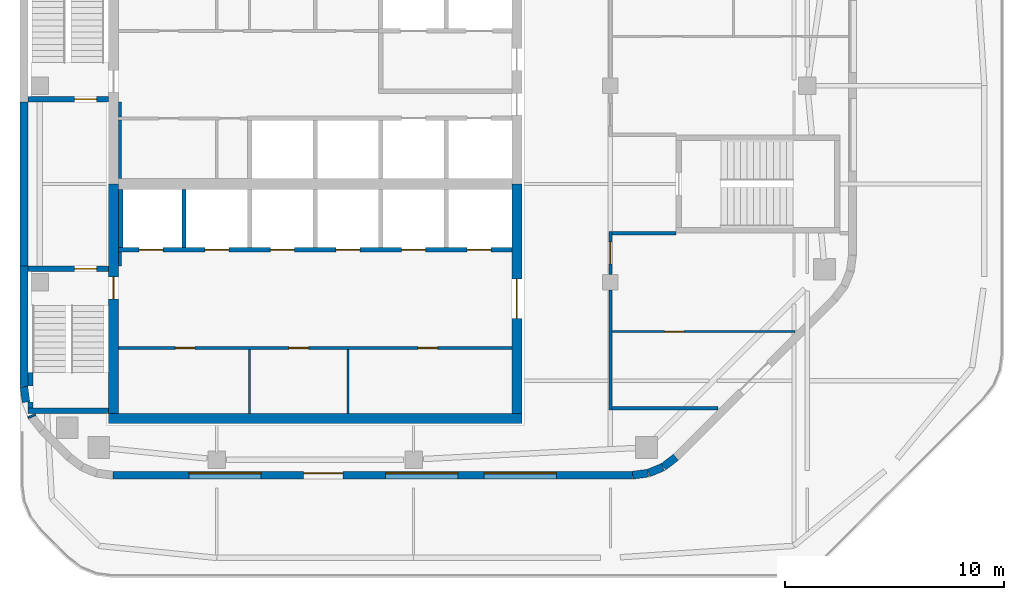
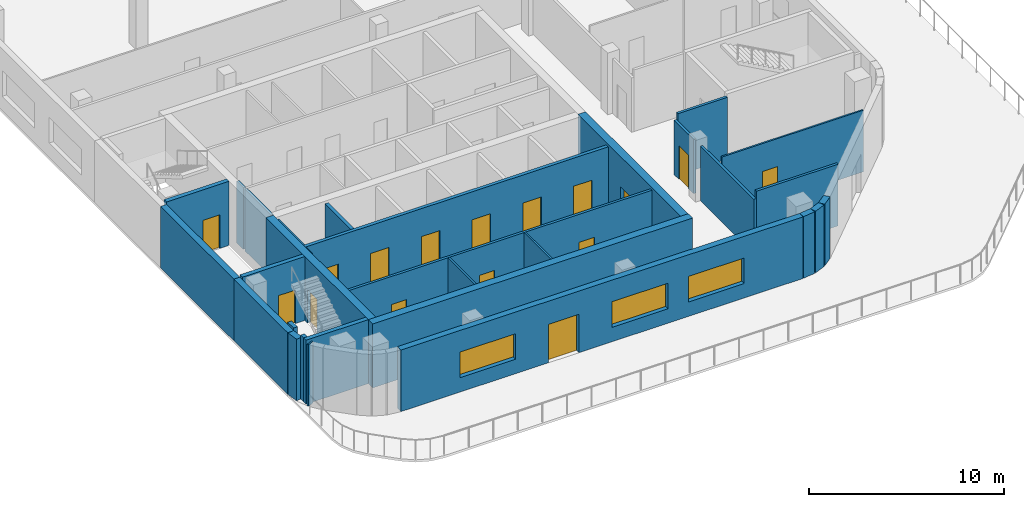
# One storey, part 3 of 7: 30 walls, 16 doors, 3 windows, 19 openings.
"""IFC4 building model written with IfcOpenShell, lengths in metres."""

from ifc_helpers import new_model, si_unit, direction, frame, frame_2d, origin, place, context, subcontext, project, spatial, rectangle, extrude, material, layer, layer_set, type_object, element, fill, save


model = new_model("IFC4")

# Units and contexts
model_context = context("Model", 3, precision=1e-05, world=origin(), true_north=direction((0.0, 1.0)))
body_context = subcontext(model_context, "Body", "Model", "MODEL_VIEW")
ifc_project = project(units=[si_unit("LENGTHUNIT", "METRE"), si_unit("AREAUNIT", "SQUARE_METRE"), si_unit("VOLUMEUNIT", "CUBIC_METRE"), si_unit("PLANEANGLEUNIT", "RADIAN"), si_unit("MASSUNIT", "GRAM", prefix="KILO")], contexts=[model_context])

# Site, building, storey
site_placement = place(None, origin())
site = spatial("IfcSite", under=ifc_project, at=site_placement, CompositionType="ELEMENT")
building_placement = place(site_placement, origin())
building = spatial("IfcBuilding", under=site, at=building_placement, Name="Cinnabar Reach Civic Tower", CompositionType="ELEMENT")
storey_placement = place(building_placement, frame((0.0, 0.0, 247.0)))
storey = spatial("IfcBuildingStorey", under=building, at=storey_placement, Name="L59", CompositionType="ELEMENT", Elevation=247.0)

# Walls
ifc_material_1 = material(Name="Facing brick with insulated backing", Category="masonry")
ifc_layer_1 = layer(ifc_material_1, 0.36)
ifc_layer_set_1 = layer_set([ifc_layer_1], Name="Brick corner wall")
wall_type_1 = type_object("IfcWallType", Name="Brick corner wall", PredefinedType="STANDARD", material=ifc_layer_set_1)
for number, where, z_axis, x_axis, name in (
    (1, (28.0186, 18.183, 0.0), (0.0, 0.0, 1.0), (0.99144092581, 0.13055608231, 0.0), "Brick corner wall"),
    (2, (28.7473, 18.2819, 0.0), (0.0, 0.0, 1.0), (0.923871547278, 0.382702709855, 0.0), "Brick corner wall"),
):
    element("IfcWall", number, at=place(storey_placement, frame(where, z_axis=z_axis, x_axis=x_axis)), inside=storey, type_object=wall_type_1, Name=name, PredefinedType="STANDARD", context=body_context, shape_type="SweptSolid", body=[
        extrude(rectangle(XDim=0.7131, YDim=0.36, at=frame_2d((0.3565, 0.0))), origin(), (0.0, 0.0, 1.0), 3.85),
    ])
wall_1_placement = place(storey_placement, frame((29.4255, 18.566, 0.0), z_axis=(0.0, 0.0, 1.0), x_axis=(0.793321924995, 0.608802368033, 0.0)))
element("IfcWall", 3, at=wall_1_placement, inside=storey, type_object=wall_type_1, Name="Brick corner wall", PredefinedType="STANDARD", context=body_context, shape_type="SweptSolid", body=[
    extrude(rectangle(XDim=0.7132, YDim=0.36, at=frame_2d((0.3566, 0.0))), origin(), (0.0, 0.0, 1.0), 3.85),
])
wall_2_placement = place(storey_placement, frame((0.183, 22.2314, 0.0), z_axis=(0.0, 0.0, 1.0), x_axis=(0.13055608231, -0.99144092581, 0.0)))
element("IfcWall", 4, at=wall_2_placement, inside=storey, type_object=wall_type_1, Name="Brick corner wall", PredefinedType="STANDARD", context=body_context, shape_type="SweptSolid", body=[
    extrude(rectangle(XDim=0.7131, YDim=0.36, at=frame_2d((0.3565, 0.0))), origin(), (0.0, 0.0, 1.0), 3.85),
])
wall_3_placement = place(storey_placement, frame((0.5206, 20.9265, 0.0), z_axis=(0.0, 0.0, 1.0), x_axis=(0.382549378284, -0.923935048136, 0.0)))
element("IfcWall", 5, at=wall_3_placement, inside=storey, type_object=wall_type_1, Name="Brick corner wall", PredefinedType="STANDARD", context=body_context, shape_type="SweptSolid", body=[
    extrude(rectangle(XDim=0.0894, YDim=0.36, at=frame_2d((0.0447, 0.0))), origin(), (0.0, 0.0, 1.0), 3.85),
])

# Wall, openings, windows, door
ifc_layer_2 = layer(ifc_material_1, 0.36)
ifc_layer_set_2 = layer_set([ifc_layer_2], Name="Brick pier and spandrel wall")
wall_type_2 = type_object("IfcWallType", Name="Brick pier and spandrel wall", PredefinedType="STANDARD", material=ifc_layer_set_2)
wall_4_placement = place(storey_placement, frame((4.2426, 18.18, 0.0), z_axis=(0.0, 0.0, 1.0), x_axis=(1.0, 0.0, 0.0)))
wall_4 = element("IfcWall", 6, at=wall_4_placement, inside=storey, type_object=wall_type_2, Name="Brick facade wall", PredefinedType="STANDARD", context=body_context, shape_type="SweptSolid", body=[
    extrude(rectangle(XDim=23.7648, YDim=0.36, at=frame_2d((11.8824, 0.0))), origin(), (0.0, 0.0, 1.0), 3.85),
])
opening_1_placement = place(wall_4_placement, frame((3.4824, 0.0, 0.9)))
opening_1 = element("IfcOpeningElement", 7, at=opening_1_placement, cuts=wall_4, Name="Opening W2180", PredefinedType="OPENING", context=body_context, shape_type="SweptSolid", body=[
    extrude(rectangle(XDim=3.3, YDim=1.6, at=frame_2d((1.65, 0.8))), frame((0.0, 0.19, 0.0), z_axis=(0.0, -1.0, 0.0), x_axis=(1.0, 0.0, 0.0)), (0.0, 0.0, 1.0), 0.38),
])
opening_2_placement = place(wall_4_placement, frame((8.7324, 0.0, 0.0)))
opening_2 = element("IfcOpeningElement", 8, at=opening_2_placement, cuts=wall_4, Name="Opening D7511", PredefinedType="OPENING", context=body_context, shape_type="SweptSolid", body=[
    extrude(rectangle(XDim=1.8, YDim=2.4, at=frame_2d((0.9, 1.2))), frame((0.0, 0.19, 0.0), z_axis=(0.0, -1.0, 0.0), x_axis=(1.0, 0.0, 0.0)), (0.0, 0.0, 1.0), 0.38),
])
opening_3_placement = place(wall_4_placement, frame((12.4824, 0.0, 0.9)))
opening_3 = element("IfcOpeningElement", 9, at=opening_3_placement, cuts=wall_4, Name="Opening W2181", PredefinedType="OPENING", context=body_context, shape_type="SweptSolid", body=[
    extrude(rectangle(XDim=3.3, YDim=1.6, at=frame_2d((1.65, 0.8))), frame((0.0, 0.19, 0.0), z_axis=(0.0, -1.0, 0.0), x_axis=(1.0, 0.0, 0.0)), (0.0, 0.0, 1.0), 0.38),
])
opening_4_placement = place(wall_4_placement, frame((16.9824, 0.0, 0.9)))
opening_4 = element("IfcOpeningElement", 10, at=opening_4_placement, cuts=wall_4, Name="Opening W2182", PredefinedType="OPENING", context=body_context, shape_type="SweptSolid", body=[
    extrude(rectangle(XDim=3.3, YDim=1.6, at=frame_2d((1.65, 0.8))), frame((0.0, 0.19, 0.0), z_axis=(0.0, -1.0, 0.0), x_axis=(1.0, 0.0, 0.0)), (0.0, 0.0, 1.0), 0.38),
])
ifc_material_2 = material(Name="Clear double glazing in aluminium frame", Category="aluminium")
window_type = type_object("IfcWindowType", Name="Deep-set window A", PartitioningType="SINGLE_PANEL", PredefinedType="WINDOW", material=ifc_material_2)
window_1_placement = place(opening_1_placement, origin())
window_1 = element("IfcWindow", 11, at=window_1_placement, inside=storey, type_object=window_type, Name="Window south face", OverallHeight=1.6, OverallWidth=3.3, PartitioningType="SINGLE_PANEL", PredefinedType="WINDOW", context=body_context, shape_type="SweptSolid", body=[
    extrude(rectangle(XDim=3.3, YDim=1.6, at=frame_2d((1.65, 0.8))), frame((0.0, 0.13, 0.0), z_axis=(0.0, -1.0, 0.0), x_axis=(1.0, 0.0, 0.0)), (0.0, 0.0, 1.0), 0.06),
])
fill(opening_1, window_1)
window_2_placement = place(opening_3_placement, origin())
window_2 = element("IfcWindow", 12, at=window_2_placement, inside=storey, type_object=window_type, Name="Window south face", OverallHeight=1.6, OverallWidth=3.3, PartitioningType="SINGLE_PANEL", PredefinedType="WINDOW", context=body_context, shape_type="SweptSolid", body=[
    extrude(rectangle(XDim=3.3, YDim=1.6, at=frame_2d((1.65, 0.8))), frame((0.0, 0.13, 0.0), z_axis=(0.0, -1.0, 0.0), x_axis=(1.0, 0.0, 0.0)), (0.0, 0.0, 1.0), 0.06),
])
fill(opening_3, window_2)
window_3_placement = place(opening_4_placement, origin())
window_3 = element("IfcWindow", 13, at=window_3_placement, inside=storey, type_object=window_type, Name="Window south face", OverallHeight=1.6, OverallWidth=3.3, PartitioningType="SINGLE_PANEL", PredefinedType="WINDOW", context=body_context, shape_type="SweptSolid", body=[
    extrude(rectangle(XDim=3.3, YDim=1.6, at=frame_2d((1.65, 0.8))), frame((0.0, 0.13, 0.0), z_axis=(0.0, -1.0, 0.0), x_axis=(1.0, 0.0, 0.0)), (0.0, 0.0, 1.0), 0.06),
])
fill(opening_4, window_3)
ifc_material_3 = material(Name="Clear glazing in aluminium frame", Category="aluminium")
door_type_1 = type_object("IfcDoorType", Name="Facade terrace double door", OperationType="SINGLE_SWING_LEFT", PredefinedType="DOOR", material=ifc_material_3)
door_1_placement = place(opening_2_placement, frame((1.8, 0.0, 0.0), z_axis=(0.0, 0.0, 1.0), x_axis=(-1.0, 0.0, 0.0)))
door_1 = element("IfcDoor", 14, at=door_1_placement, inside=storey, type_object=door_type_1, Name="Terrace door", OperationType="DOUBLE_DOOR_SINGLE_SWING", OverallHeight=2.4, OverallWidth=1.8, PredefinedType="DOOR", context=body_context, shape_type="SweptSolid", body=[
    extrude(rectangle(XDim=1.8, YDim=2.4, at=frame_2d((0.9, 1.2))), frame((0.0, -0.07, 0.0), z_axis=(0.0, -1.0, 0.0), x_axis=(1.0, 0.0, 0.0)), (0.0, 0.0, 1.0), 0.05),
])
fill(opening_2, door_1)

# Walls
wall_5_placement = place(storey_placement, frame((0.18, 35.25, 0.0), z_axis=(0.0, 0.0, 1.0), x_axis=(0.0, -1.0, 0.0)))
element("IfcWall", 15, at=wall_5_placement, inside=storey, type_object=wall_type_2, Name="Brick facade wall", PredefinedType="STANDARD", context=body_context, shape_type="SweptSolid", body=[
    extrude(rectangle(XDim=7.5, YDim=0.36, at=frame_2d((3.75, 0.0))), origin(), (0.0, 0.0, 1.0), 3.85),
])
wall_6_placement = place(storey_placement, frame((0.18, 27.75, 0.0), z_axis=(0.0, 0.0, 1.0), x_axis=(0.0, -1.0, 0.0)))
element("IfcWall", 16, at=wall_6_placement, inside=storey, type_object=wall_type_2, Name="Brick facade wall", PredefinedType="STANDARD", context=body_context, shape_type="SweptSolid", body=[
    extrude(rectangle(XDim=5.5074, YDim=0.36, at=frame_2d((2.7537, 0.0))), origin(), (0.0, 0.0, 1.0), 3.85),
])
ifc_material_4 = material(Name="Concrete C60", Category="concrete")
ifc_layer_3 = layer(ifc_material_4, 0.45)
ifc_layer_set_3 = layer_set([ifc_layer_3], Name="Core wall 450 EI 180")
wall_type_3 = type_object("IfcWallType", Name="Core wall 450 EI 180", PredefinedType="SOLIDWALL", material=ifc_layer_set_3)
wall_7_placement = place(storey_placement, frame((4.05, 20.775, 0.0), z_axis=(0.0, 0.0, 1.0), x_axis=(1.0, 0.0, 0.0)))
element("IfcWall", 17, at=wall_7_placement, inside=storey, type_object=wall_type_3, Name="Core wall T1 L59 S", PredefinedType="SOLIDWALL", context=body_context, shape_type="SweptSolid", body=[
    extrude(rectangle(XDim=18.9, YDim=0.45, at=frame_2d((9.45, 0.0))), origin(), (0.0, 0.0, 1.0), 4.0),
])

# Wall, opening, door
wall_8_placement = place(storey_placement, frame((22.725, 21.0, 0.0), z_axis=(0.0, 0.0, 1.0), x_axis=(0.0, 1.0, 0.0)))
wall_8 = element("IfcWall", 18, at=wall_8_placement, inside=storey, type_object=wall_type_3, Name="Core wall T1 L59 E", PredefinedType="SOLIDWALL", context=body_context, shape_type="SweptSolid", body=[
    extrude(rectangle(XDim=10.5, YDim=0.45, at=frame_2d((5.25, 0.0))), origin(), (0.0, 0.0, 1.0), 4.0),
])
opening_5_placement = place(wall_8_placement, frame((4.35, 0.0, 0.0)))
opening_5 = element("IfcOpeningElement", 19, at=opening_5_placement, cuts=wall_8, Name="Opening D5386", PredefinedType="OPENING", context=body_context, shape_type="SweptSolid", body=[
    extrude(rectangle(XDim=1.8, YDim=2.1, at=frame_2d((0.9, 1.05))), frame((0.0, 0.235, 0.0), z_axis=(0.0, -1.0, 0.0), x_axis=(1.0, 0.0, 0.0)), (0.0, 0.0, 1.0), 0.47),
])
ifc_material_5 = material(Name="Timber door leaf in steel frame", Category="steel")
door_type_2 = type_object("IfcDoorType", Name="Double swing door 1800 x 2100 T1", OperationType="DOUBLE_DOOR_DOUBLE_SWING", PredefinedType="DOOR", material=ifc_material_5)
door_2_placement = place(opening_5_placement, origin())
door_2 = element("IfcDoor", 20, at=door_2_placement, inside=storey, type_object=door_type_2, Name="Door D5386", OperationType="DOUBLE_DOOR_DOUBLE_SWING", OverallHeight=2.1, OverallWidth=1.8, PredefinedType="DOOR", context=body_context, shape_type="SweptSolid", body=[
    extrude(rectangle(XDim=1.8, YDim=2.1, at=frame_2d((0.9, 1.05))), frame((0.0, 0.025, 0.0), z_axis=(0.0, -1.0, 0.0), x_axis=(1.0, 0.0, 0.0)), (0.0, 0.0, 1.0), 0.05),
])
fill(opening_5, door_2)

wall_9_placement = place(storey_placement, frame((4.275, 31.5, 0.0), z_axis=(0.0, 0.0, 1.0), x_axis=(0.0, -1.0, 0.0)))
wall_9 = element("IfcWall", 21, at=wall_9_placement, inside=storey, type_object=wall_type_3, Name="Core wall T1 L59 W2", PredefinedType="SOLIDWALL", context=body_context, shape_type="SweptSolid", body=[
    extrude(rectangle(XDim=10.5, YDim=0.45, at=frame_2d((5.25, 0.0))), origin(), (0.0, 0.0, 1.0), 4.0),
])
opening_6_placement = place(wall_9_placement, frame((4.25, 0.0, 0.0)))
opening_6 = element("IfcOpeningElement", 22, at=opening_6_placement, cuts=wall_9, Name="Opening D5372", PredefinedType="OPENING", context=body_context, shape_type="SweptSolid", body=[
    extrude(rectangle(XDim=1.0, YDim=2.1, at=frame_2d((0.5, 1.05))), frame((0.0, 0.235, 0.0), z_axis=(0.0, -1.0, 0.0), x_axis=(1.0, 0.0, 0.0)), (0.0, 0.0, 1.0), 0.47),
])
door_type_3 = type_object("IfcDoorType", Name="Stair door 1000 x 2100 T1", OperationType="SINGLE_SWING_LEFT", PredefinedType="DOOR", material=ifc_material_5)
door_3_placement = place(opening_6_placement, frame((1.0, 0.0, 0.0), z_axis=(0.0, 0.0, 1.0), x_axis=(-1.0, 0.0, 0.0)))
door_3 = element("IfcDoor", 23, at=door_3_placement, inside=storey, type_object=door_type_3, Name="Door D5372", OperationType="SINGLE_SWING_RIGHT", OverallHeight=2.1, OverallWidth=1.0, PredefinedType="DOOR", context=body_context, shape_type="SweptSolid", body=[
    extrude(rectangle(XDim=1.0, YDim=2.1, at=frame_2d((0.5, 1.05))), frame((0.0, 0.025, 0.0), z_axis=(0.0, -1.0, 0.0), x_axis=(1.0, 0.0, 0.0)), (0.0, 0.0, 1.0), 0.05),
])
fill(opening_6, door_3)

# Wall, openings, doors
ifc_material_6 = material(Name="Gypsum board on steel studs, double layer", Category="steel")
ifc_layer_4 = layer(ifc_material_6, 0.15)
ifc_layer_set_4 = layer_set([ifc_layer_4], Name="Corridor wall 150 T1")
wall_type_4 = type_object("IfcWallType", Name="Corridor wall 150 T1", PredefinedType="PARTITIONING", material=ifc_layer_set_4)
wall_10_placement = place(storey_placement, frame((4.5, 24.0, 0.0), z_axis=(0.0, 0.0, 1.0), x_axis=(1.0, 0.0, 0.0)))
wall_10 = element("IfcWall", 24, at=wall_10_placement, inside=storey, type_object=wall_type_4, Name="Corridor wall 19", PredefinedType="PARTITIONING", context=body_context, shape_type="SweptSolid", body=[
    extrude(rectangle(XDim=18.0, YDim=0.15, at=frame_2d((9.0, 0.0))), origin(), (0.0, 0.0, 1.0), 3.85),
])
opening_7_placement = place(wall_10_placement, frame((2.6, 0.0, 0.0)))
opening_7 = element("IfcOpeningElement", 25, at=opening_7_placement, cuts=wall_10, Name="Opening D5390", PredefinedType="OPENING", context=body_context, shape_type="SweptSolid", body=[
    extrude(rectangle(XDim=0.9, YDim=2.1, at=frame_2d((0.45, 1.05))), frame((0.0, 0.085, 0.0), z_axis=(0.0, -1.0, 0.0), x_axis=(1.0, 0.0, 0.0)), (0.0, 0.0, 1.0), 0.17),
])
opening_8_placement = place(wall_10_placement, frame((7.8, 0.0, 0.0)))
opening_8 = element("IfcOpeningElement", 26, at=opening_8_placement, cuts=wall_10, Name="Opening D5391", PredefinedType="OPENING", context=body_context, shape_type="SweptSolid", body=[
    extrude(rectangle(XDim=0.9, YDim=2.1, at=frame_2d((0.45, 1.05))), frame((0.0, 0.085, 0.0), z_axis=(0.0, -1.0, 0.0), x_axis=(1.0, 0.0, 0.0)), (0.0, 0.0, 1.0), 0.17),
])
opening_9_placement = place(wall_10_placement, frame((13.7, 0.0, 0.0)))
opening_9 = element("IfcOpeningElement", 27, at=opening_9_placement, cuts=wall_10, Name="Opening D5392", PredefinedType="OPENING", context=body_context, shape_type="SweptSolid", body=[
    extrude(rectangle(XDim=0.9, YDim=2.1, at=frame_2d((0.45, 1.05))), frame((0.0, 0.085, 0.0), z_axis=(0.0, -1.0, 0.0), x_axis=(1.0, 0.0, 0.0)), (0.0, 0.0, 1.0), 0.17),
])
door_type_4 = type_object("IfcDoorType", Name="Single swing door 900 x 2100 corridor T1", OperationType="SINGLE_SWING_LEFT", PredefinedType="DOOR", material=ifc_material_5)
door_4_placement = place(opening_7_placement, frame((0.9, 0.0, 0.0), z_axis=(0.0, 0.0, 1.0), x_axis=(-1.0, 0.0, 0.0)))
door_4 = element("IfcDoor", 28, at=door_4_placement, inside=storey, type_object=door_type_4, Name="Door D5390", OperationType="SINGLE_SWING_RIGHT", OverallHeight=2.1, OverallWidth=0.9, PredefinedType="DOOR", context=body_context, shape_type="SweptSolid", body=[
    extrude(rectangle(XDim=0.9, YDim=2.1, at=frame_2d((0.45, 1.05))), frame((0.0, 0.025, 0.0), z_axis=(0.0, -1.0, 0.0), x_axis=(1.0, 0.0, 0.0)), (0.0, 0.0, 1.0), 0.05),
])
fill(opening_7, door_4)
door_5_placement = place(opening_8_placement, frame((0.9, 0.0, 0.0), z_axis=(0.0, 0.0, 1.0), x_axis=(-1.0, 0.0, 0.0)))
door_5 = element("IfcDoor", 29, at=door_5_placement, inside=storey, type_object=door_type_4, Name="Door D5391", OperationType="SINGLE_SWING_RIGHT", OverallHeight=2.1, OverallWidth=0.9, PredefinedType="DOOR", context=body_context, shape_type="SweptSolid", body=[
    extrude(rectangle(XDim=0.9, YDim=2.1, at=frame_2d((0.45, 1.05))), frame((0.0, 0.025, 0.0), z_axis=(0.0, -1.0, 0.0), x_axis=(1.0, 0.0, 0.0)), (0.0, 0.0, 1.0), 0.05),
])
fill(opening_8, door_5)
door_6_placement = place(opening_9_placement, frame((0.9, 0.0, 0.0), z_axis=(0.0, 0.0, 1.0), x_axis=(-1.0, 0.0, 0.0)))
door_6 = element("IfcDoor", 30, at=door_6_placement, inside=storey, type_object=door_type_4, Name="Door D5392", OperationType="SINGLE_SWING_RIGHT", OverallHeight=2.1, OverallWidth=0.9, PredefinedType="DOOR", context=body_context, shape_type="SweptSolid", body=[
    extrude(rectangle(XDim=0.9, YDim=2.1, at=frame_2d((0.45, 1.05))), frame((0.0, 0.025, 0.0), z_axis=(0.0, -1.0, 0.0), x_axis=(1.0, 0.0, 0.0)), (0.0, 0.0, 1.0), 0.05),
])
fill(opening_9, door_6)

# Wall
wall_11_placement = place(storey_placement, frame((27.0, 21.175, 0.0), z_axis=(0.0, 0.0, 1.0), x_axis=(0.0, 1.0, 0.0)))
element("IfcWall", 31, at=wall_11_placement, inside=storey, type_object=wall_type_4, Name="Corridor wall 24", PredefinedType="PARTITIONING", context=body_context, shape_type="SweptSolid", body=[
    extrude(rectangle(XDim=5.475, YDim=0.15, at=frame_2d((2.7375, 0.0))), origin(), (0.0, 0.0, 1.0), 3.4),
])

# Wall, opening, door
wall_12_placement = place(storey_placement, frame((27.0, 27.35, 0.0), z_axis=(0.0, 0.0, 1.0), x_axis=(0.0, 1.0, 0.0)))
wall_12 = element("IfcWall", 32, at=wall_12_placement, inside=storey, type_object=wall_type_4, Name="Corridor wall 25", PredefinedType="PARTITIONING", context=body_context, shape_type="SweptSolid", body=[
    extrude(rectangle(XDim=1.975, YDim=0.15, at=frame_2d((0.9875, 0.0))), origin(), (0.0, 0.0, 1.0), 3.4),
])
opening_10_placement = place(wall_12_placement, frame((0.5, 0.0, 0.0)))
opening_10 = element("IfcOpeningElement", 33, at=opening_10_placement, cuts=wall_12, Name="Opening D5402", PredefinedType="OPENING", context=body_context, shape_type="SweptSolid", body=[
    extrude(rectangle(XDim=1.0, YDim=2.1, at=frame_2d((0.5, 1.05))), frame((0.0, 0.085, 0.0), z_axis=(0.0, -1.0, 0.0), x_axis=(1.0, 0.0, 0.0)), (0.0, 0.0, 1.0), 0.17),
])
door_type_5 = type_object("IfcDoorType", Name="Tenancy entrance door 1000 x 2100 T1", OperationType="SINGLE_SWING_LEFT", PredefinedType="DOOR", material=ifc_material_5)
door_7_placement = place(opening_10_placement, frame((1.0, 0.0, 0.0), z_axis=(0.0, 0.0, 1.0), x_axis=(-1.0, 0.0, 0.0)))
door_7 = element("IfcDoor", 34, at=door_7_placement, inside=storey, type_object=door_type_5, Name="Door D5402", OperationType="SINGLE_SWING_LEFT", OverallHeight=2.1, OverallWidth=1.0, PredefinedType="DOOR", context=body_context, shape_type="SweptSolid", body=[
    extrude(rectangle(XDim=1.0, YDim=2.1, at=frame_2d((0.5, 1.05))), frame((0.0, 0.025, 0.0), z_axis=(0.0, -1.0, 0.0), x_axis=(1.0, 0.0, 0.0)), (0.0, 0.0, 1.0), 0.05),
])
fill(opening_10, door_7)

# Walls
wall_13_placement = place(storey_placement, frame((27.075, 21.25, 0.0), z_axis=(0.0, 0.0, 1.0), x_axis=(1.0, 0.0, 0.0)))
element("IfcWall", 35, at=wall_13_placement, inside=storey, type_object=wall_type_4, Name="Corridor wall 27", PredefinedType="PARTITIONING", context=body_context, shape_type="SweptSolid", body=[
    extrude(rectangle(XDim=4.841, YDim=0.15, at=frame_2d((2.4205, 0.0))), origin(), (0.0, 0.0, 1.0), 3.85),
])
wall_14_placement = place(storey_placement, frame((4.575, 34.575, 0.0), z_axis=(0.0, 0.0, 1.0), x_axis=(0.0, 1.0, 0.0)))
element("IfcWall", 36, at=wall_14_placement, inside=storey, type_object=wall_type_4, Name="Corridor wall 28", PredefinedType="PARTITIONING", context=body_context, shape_type="SweptSolid", body=[
    extrude(rectangle(XDim=0.675, YDim=0.15, at=frame_2d((0.3375, 0.0))), origin(), (0.0, 0.0, 1.0), 3.85),
])
wall_15_placement = place(storey_placement, frame((4.575, 31.75, 0.0), z_axis=(0.0, 0.0, 1.0), x_axis=(0.0, 1.0, 0.0)))
element("IfcWall", 37, at=wall_15_placement, inside=storey, type_object=wall_type_4, Name="Corridor wall 29", PredefinedType="PARTITIONING", context=body_context, shape_type="SweptSolid", body=[
    extrude(rectangle(XDim=2.675, YDim=0.15, at=frame_2d((1.3375, 0.0))), origin(), (0.0, 0.0, 1.0), 3.85),
])
wall_16_placement = place(storey_placement, frame((27.075, 29.25, 0.0), z_axis=(0.0, 0.0, 1.0), x_axis=(1.0, 0.0, 0.0)))
element("IfcWall", 38, at=wall_16_placement, inside=storey, type_object=wall_type_4, Name="Corridor wall 30", PredefinedType="PARTITIONING", context=body_context, shape_type="SweptSolid", body=[
    extrude(rectangle(XDim=2.925, YDim=0.15, at=frame_2d((1.4625, 0.0))), origin(), (0.0, 0.0, 1.0), 3.85),
])
wall_17_placement = place(storey_placement, frame((4.575, 27.75, 0.0), z_axis=(0.0, 0.0, 1.0), x_axis=(0.0, 1.0, 0.0)))
element("IfcWall", 39, at=wall_17_placement, inside=storey, type_object=wall_type_4, Name="Corridor wall 32", PredefinedType="PARTITIONING", context=body_context, shape_type="SweptSolid", body=[
    extrude(rectangle(XDim=0.65, YDim=0.15, at=frame_2d((0.325, 0.0))), origin(), (0.0, 0.0, 1.0), 3.85),
])

# Wall, openings, doors
ifc_material_7 = material(Name="Blockwork", Category="masonry")
ifc_layer_5 = layer(ifc_material_7, 0.2)
ifc_layer_set_5 = layer_set([ifc_layer_5], Name="Lift shaft wall 200 T1")
wall_type_5 = type_object("IfcWallType", Name="Lift shaft wall 200 T1", PredefinedType="PARTITIONING", material=ifc_layer_set_5)
wall_18_placement = place(storey_placement, frame((4.5, 28.5, 0.0), z_axis=(0.0, 0.0, 1.0), x_axis=(1.0, 0.0, 0.0)))
wall_18 = element("IfcWall", 40, at=wall_18_placement, inside=storey, type_object=wall_type_5, Name="Lift shaft wall 4", PredefinedType="PARTITIONING", context=body_context, shape_type="SweptSolid", body=[
    extrude(rectangle(XDim=18.0, YDim=0.2, at=frame_2d((9.0, 0.0))), origin(), (0.0, 0.0, 1.0), 3.85),
])
opening_11_placement = place(wall_18_placement, frame((0.95, 0.0, 0.0)))
opening_11 = element("IfcOpeningElement", 41, at=opening_11_placement, cuts=wall_18, Name="Opening D5376", PredefinedType="OPENING", context=body_context, shape_type="SweptSolid", body=[
    extrude(rectangle(XDim=1.1, YDim=2.1, at=frame_2d((0.55, 1.05))), frame((0.0, 0.11, 0.0), z_axis=(0.0, -1.0, 0.0), x_axis=(1.0, 0.0, 0.0)), (0.0, 0.0, 1.0), 0.22),
])
opening_12_placement = place(wall_18_placement, frame((3.95, 0.0, 0.0)))
opening_12 = element("IfcOpeningElement", 42, at=opening_12_placement, cuts=wall_18, Name="Opening D5377", PredefinedType="OPENING", context=body_context, shape_type="SweptSolid", body=[
    extrude(rectangle(XDim=1.1, YDim=2.1, at=frame_2d((0.55, 1.05))), frame((0.0, 0.11, 0.0), z_axis=(0.0, -1.0, 0.0), x_axis=(1.0, 0.0, 0.0)), (0.0, 0.0, 1.0), 0.22),
])
opening_13_placement = place(wall_18_placement, frame((6.95, 0.0, 0.0)))
opening_13 = element("IfcOpeningElement", 43, at=opening_13_placement, cuts=wall_18, Name="Opening D5378", PredefinedType="OPENING", context=body_context, shape_type="SweptSolid", body=[
    extrude(rectangle(XDim=1.1, YDim=2.1, at=frame_2d((0.55, 1.05))), frame((0.0, 0.11, 0.0), z_axis=(0.0, -1.0, 0.0), x_axis=(1.0, 0.0, 0.0)), (0.0, 0.0, 1.0), 0.22),
])
opening_14_placement = place(wall_18_placement, frame((9.95, 0.0, 0.0)))
opening_14 = element("IfcOpeningElement", 44, at=opening_14_placement, cuts=wall_18, Name="Opening D5379", PredefinedType="OPENING", context=body_context, shape_type="SweptSolid", body=[
    extrude(rectangle(XDim=1.1, YDim=2.1, at=frame_2d((0.55, 1.05))), frame((0.0, 0.11, 0.0), z_axis=(0.0, -1.0, 0.0), x_axis=(1.0, 0.0, 0.0)), (0.0, 0.0, 1.0), 0.22),
])
opening_15_placement = place(wall_18_placement, frame((12.95, 0.0, 0.0)))
opening_15 = element("IfcOpeningElement", 45, at=opening_15_placement, cuts=wall_18, Name="Opening D5380", PredefinedType="OPENING", context=body_context, shape_type="SweptSolid", body=[
    extrude(rectangle(XDim=1.1, YDim=2.1, at=frame_2d((0.55, 1.05))), frame((0.0, 0.11, 0.0), z_axis=(0.0, -1.0, 0.0), x_axis=(1.0, 0.0, 0.0)), (0.0, 0.0, 1.0), 0.22),
])
opening_16_placement = place(wall_18_placement, frame((15.95, 0.0, 0.0)))
opening_16 = element("IfcOpeningElement", 46, at=opening_16_placement, cuts=wall_18, Name="Opening D5381", PredefinedType="OPENING", context=body_context, shape_type="SweptSolid", body=[
    extrude(rectangle(XDim=1.1, YDim=2.1, at=frame_2d((0.55, 1.05))), frame((0.0, 0.11, 0.0), z_axis=(0.0, -1.0, 0.0), x_axis=(1.0, 0.0, 0.0)), (0.0, 0.0, 1.0), 0.22),
])
ifc_material_8 = material(Name="Stainless steel sliding door", Category="steel")
door_type_6 = type_object("IfcDoorType", Name="Lift landing door 1100 x 2100 T1", OperationType="SLIDING_TO_LEFT", PredefinedType="DOOR", material=ifc_material_8)
door_8_placement = place(opening_11_placement, origin())
door_8 = element("IfcDoor", 47, at=door_8_placement, inside=storey, type_object=door_type_6, Name="Lift landing door HR1 L59", OperationType="SLIDING_TO_LEFT", OverallHeight=2.1, OverallWidth=1.1, PredefinedType="DOOR", context=body_context, shape_type="SweptSolid", body=[
    extrude(rectangle(XDim=1.1, YDim=2.1, at=frame_2d((0.55, 1.05))), frame((0.0, 0.025, 0.0), z_axis=(0.0, -1.0, 0.0), x_axis=(1.0, 0.0, 0.0)), (0.0, 0.0, 1.0), 0.05),
])
fill(opening_11, door_8)
door_9_placement = place(opening_12_placement, origin())
door_9 = element("IfcDoor", 48, at=door_9_placement, inside=storey, type_object=door_type_6, Name="Lift landing door HR2 L59", OperationType="SLIDING_TO_LEFT", OverallHeight=2.1, OverallWidth=1.1, PredefinedType="DOOR", context=body_context, shape_type="SweptSolid", body=[
    extrude(rectangle(XDim=1.1, YDim=2.1, at=frame_2d((0.55, 1.05))), frame((0.0, 0.025, 0.0), z_axis=(0.0, -1.0, 0.0), x_axis=(1.0, 0.0, 0.0)), (0.0, 0.0, 1.0), 0.05),
])
fill(opening_12, door_9)
door_10_placement = place(opening_13_placement, origin())
door_10 = element("IfcDoor", 49, at=door_10_placement, inside=storey, type_object=door_type_6, Name="Lift landing door HR3 L59", OperationType="SLIDING_TO_LEFT", OverallHeight=2.1, OverallWidth=1.1, PredefinedType="DOOR", context=body_context, shape_type="SweptSolid", body=[
    extrude(rectangle(XDim=1.1, YDim=2.1, at=frame_2d((0.55, 1.05))), frame((0.0, 0.025, 0.0), z_axis=(0.0, -1.0, 0.0), x_axis=(1.0, 0.0, 0.0)), (0.0, 0.0, 1.0), 0.05),
])
fill(opening_13, door_10)
door_11_placement = place(opening_14_placement, origin())
door_11 = element("IfcDoor", 50, at=door_11_placement, inside=storey, type_object=door_type_6, Name="Lift landing door HR4 L59", OperationType="SLIDING_TO_LEFT", OverallHeight=2.1, OverallWidth=1.1, PredefinedType="DOOR", context=body_context, shape_type="SweptSolid", body=[
    extrude(rectangle(XDim=1.1, YDim=2.1, at=frame_2d((0.55, 1.05))), frame((0.0, 0.025, 0.0), z_axis=(0.0, -1.0, 0.0), x_axis=(1.0, 0.0, 0.0)), (0.0, 0.0, 1.0), 0.05),
])
fill(opening_14, door_11)
door_12_placement = place(opening_15_placement, origin())
door_12 = element("IfcDoor", 51, at=door_12_placement, inside=storey, type_object=door_type_6, Name="Lift landing door HR5 L59", OperationType="SLIDING_TO_LEFT", OverallHeight=2.1, OverallWidth=1.1, PredefinedType="DOOR", context=body_context, shape_type="SweptSolid", body=[
    extrude(rectangle(XDim=1.1, YDim=2.1, at=frame_2d((0.55, 1.05))), frame((0.0, 0.025, 0.0), z_axis=(0.0, -1.0, 0.0), x_axis=(1.0, 0.0, 0.0)), (0.0, 0.0, 1.0), 0.05),
])
fill(opening_15, door_12)
door_13_placement = place(opening_16_placement, origin())
door_13 = element("IfcDoor", 52, at=door_13_placement, inside=storey, type_object=door_type_6, Name="Lift landing door HR6 L59", OperationType="SLIDING_TO_LEFT", OverallHeight=2.1, OverallWidth=1.1, PredefinedType="DOOR", context=body_context, shape_type="SweptSolid", body=[
    extrude(rectangle(XDim=1.1, YDim=2.1, at=frame_2d((0.55, 1.05))), frame((0.0, 0.025, 0.0), z_axis=(0.0, -1.0, 0.0), x_axis=(1.0, 0.0, 0.0)), (0.0, 0.0, 1.0), 0.05),
])
fill(opening_16, door_13)

# Walls
for number, where, z_axis, x_axis, name in (
    (53, (4.6, 28.6, 0.0), (0.0, 0.0, 1.0), (0.0, 1.0, 0.0), "Lift shaft wall 16"),
    (54, (7.5, 28.6, 0.0), (0.0, 0.0, 1.0), (0.0, 1.0, 0.0), "Lift shaft wall 17"),
):
    element("IfcWall", number, at=place(storey_placement, frame(where, z_axis=z_axis, x_axis=x_axis)), inside=storey, type_object=wall_type_5, Name=name, PredefinedType="PARTITIONING", context=body_context, shape_type="SweptSolid", body=[
        extrude(rectangle(XDim=2.65, YDim=0.2, at=frame_2d((1.325, 0.0))), origin(), (0.0, 0.0, 1.0), 3.85),
    ])

# Wall, opening, door
ifc_material_9 = material(Name="Gypsum board on steel studs", Category="steel")
ifc_layer_6 = layer(ifc_material_9, 0.1)
ifc_layer_set_6 = layer_set([ifc_layer_6], Name="Partition wall 100 T1")
wall_type_6 = type_object("IfcWallType", Name="Partition wall 100 T1", PredefinedType="PARTITIONING", material=ifc_layer_set_6)
wall_19_placement = place(storey_placement, frame((27.075, 24.75, 0.0), z_axis=(0.0, 0.0, 1.0), x_axis=(1.0, 0.0, 0.0)))
wall_19 = element("IfcWall", 55, at=wall_19_placement, inside=storey, type_object=wall_type_6, Name="Partition wall 44", PredefinedType="PARTITIONING", context=body_context, shape_type="SweptSolid", body=[
    extrude(rectangle(XDim=8.3659, YDim=0.1, at=frame_2d((4.1829, 0.0))), origin(), (0.0, 0.0, 1.0), 3.85),
])
opening_17_placement = place(wall_19_placement, frame((2.4, 0.0, 0.0)))
opening_17 = element("IfcOpeningElement", 56, at=opening_17_placement, cuts=wall_19, Name="Opening D5403", PredefinedType="OPENING", context=body_context, shape_type="SweptSolid", body=[
    extrude(rectangle(XDim=0.9, YDim=2.1, at=frame_2d((0.45, 1.05))), frame((0.0, 0.06, 0.0), z_axis=(0.0, -1.0, 0.0), x_axis=(1.0, 0.0, 0.0)), (0.0, 0.0, 1.0), 0.12),
])
door_type_7 = type_object("IfcDoorType", Name="Single swing door 900 x 2100 T1", OperationType="SINGLE_SWING_LEFT", PredefinedType="DOOR", material=ifc_material_5)
door_14_placement = place(opening_17_placement, frame((0.9, 0.0, 0.0), z_axis=(0.0, 0.0, 1.0), x_axis=(-1.0, 0.0, 0.0)))
door_14 = element("IfcDoor", 57, at=door_14_placement, inside=storey, type_object=door_type_7, Name="Door D5403", OperationType="SINGLE_SWING_LEFT", OverallHeight=2.1, OverallWidth=0.9, PredefinedType="DOOR", context=body_context, shape_type="SweptSolid", body=[
    extrude(rectangle(XDim=0.9, YDim=2.1, at=frame_2d((0.45, 1.05))), frame((0.0, 0.025, 0.0), z_axis=(0.0, -1.0, 0.0), x_axis=(1.0, 0.0, 0.0)), (0.0, 0.0, 1.0), 0.05),
])
fill(opening_17, door_14)

# Walls
for number, where, z_axis, x_axis, name in (
    (58, (10.5, 21.0, 0.0), (0.0, 0.0, 1.0), (0.0, 1.0, 0.0), "Partition wall 48"),
    (59, (15.0, 21.0, 0.0), (0.0, 0.0, 1.0), (0.0, 1.0, 0.0), "Partition wall 49"),
):
    element("IfcWall", number, at=place(storey_placement, frame(where, z_axis=z_axis, x_axis=x_axis)), inside=storey, type_object=wall_type_6, Name=name, PredefinedType="PARTITIONING", context=body_context, shape_type="SweptSolid", body=[
        extrude(rectangle(XDim=2.925, YDim=0.1, at=frame_2d((1.4625, 0.0))), origin(), (0.0, 0.0, 1.0), 3.85),
    ])
ifc_layer_7 = layer(ifc_material_4, 0.25)
ifc_layer_set_7 = layer_set([ifc_layer_7], Name="Stair shaft wall 250 EI 120")
wall_type_7 = type_object("IfcWallType", Name="Stair shaft wall 250 EI 120", PredefinedType="SOLIDWALL", material=ifc_layer_set_7)
wall_20_placement = place(storey_placement, frame((0.36, 21.125, 0.0), z_axis=(0.0, 0.0, 1.0), x_axis=(1.0, 0.0, 0.0)))
element("IfcWall", 60, at=wall_20_placement, inside=storey, type_object=wall_type_7, Name="Stair shaft wall T1-S1 L59", PredefinedType="SOLIDWALL", context=body_context, shape_type="SweptSolid", body=[
    extrude(rectangle(XDim=3.69, YDim=0.25, at=frame_2d((1.845, 0.0))), origin(), (0.0, 0.0, 1.0), 4.0),
])

# Wall, opening, door
wall_21_placement = place(storey_placement, frame((4.05, 27.625, 0.0), z_axis=(0.0, 0.0, 1.0), x_axis=(-1.0, 0.0, 0.0)))
wall_21 = element("IfcWall", 61, at=wall_21_placement, inside=storey, type_object=wall_type_7, Name="Stair shaft wall T1-S1 L59", PredefinedType="SOLIDWALL", context=body_context, shape_type="SweptSolid", body=[
    extrude(rectangle(XDim=3.69, YDim=0.25, at=frame_2d((1.845, 0.0))), origin(), (0.0, 0.0, 1.0), 4.0),
])
opening_18_placement = place(wall_21_placement, frame((0.55, 0.0, 0.0)))
opening_18 = element("IfcOpeningElement", 62, at=opening_18_placement, cuts=wall_21, Name="Opening D5373", PredefinedType="OPENING", context=body_context, shape_type="SweptSolid", body=[
    extrude(rectangle(XDim=1.0, YDim=2.1, at=frame_2d((0.5, 1.05))), frame((0.0, 0.135, 0.0), z_axis=(0.0, -1.0, 0.0), x_axis=(1.0, 0.0, 0.0)), (0.0, 0.0, 1.0), 0.27),
])
door_15_placement = place(opening_18_placement, origin())
door_15 = element("IfcDoor", 63, at=door_15_placement, inside=storey, type_object=door_type_3, Name="Door D5373", OperationType="SINGLE_SWING_LEFT", OverallHeight=2.1, OverallWidth=1.0, PredefinedType="DOOR", context=body_context, shape_type="SweptSolid", body=[
    extrude(rectangle(XDim=1.0, YDim=2.1, at=frame_2d((0.5, 1.05))), frame((0.0, 0.025, 0.0), z_axis=(0.0, -1.0, 0.0), x_axis=(1.0, 0.0, 0.0)), (0.0, 0.0, 1.0), 0.05),
])
fill(opening_18, door_15)

wall_22_placement = place(storey_placement, frame((0.36, 35.375, 0.0), z_axis=(0.0, 0.0, 1.0), x_axis=(1.0, 0.0, 0.0)))
wall_22 = element("IfcWall", 64, at=wall_22_placement, inside=storey, type_object=wall_type_7, Name="Stair shaft wall T1-S2 L59", PredefinedType="SOLIDWALL", context=body_context, shape_type="SweptSolid", body=[
    extrude(rectangle(XDim=3.69, YDim=0.25, at=frame_2d((1.845, 0.0))), origin(), (0.0, 0.0, 1.0), 4.0),
])
opening_19_placement = place(wall_22_placement, frame((2.14, 0.0, 0.0)))
opening_19 = element("IfcOpeningElement", 65, at=opening_19_placement, cuts=wall_22, Name="Opening D5375", PredefinedType="OPENING", context=body_context, shape_type="SweptSolid", body=[
    extrude(rectangle(XDim=1.0, YDim=2.1, at=frame_2d((0.5, 1.05))), frame((0.0, 0.135, 0.0), z_axis=(0.0, -1.0, 0.0), x_axis=(1.0, 0.0, 0.0)), (0.0, 0.0, 1.0), 0.27),
])
door_16_placement = place(opening_19_placement, origin())
door_16 = element("IfcDoor", 66, at=door_16_placement, inside=storey, type_object=door_type_3, Name="Door D5375", OperationType="SINGLE_SWING_LEFT", OverallHeight=2.1, OverallWidth=1.0, PredefinedType="DOOR", context=body_context, shape_type="SweptSolid", body=[
    extrude(rectangle(XDim=1.0, YDim=2.1, at=frame_2d((0.5, 1.05))), frame((0.0, 0.025, 0.0), z_axis=(0.0, -1.0, 0.0), x_axis=(1.0, 0.0, 0.0)), (0.0, 0.0, 1.0), 0.05),
])
fill(opening_19, door_16)

# Walls
ifc_material_10 = material(Name="Concrete C40/50", Category="concrete")
ifc_layer_8 = layer(ifc_material_10, 0.24)
ifc_layer_set_8 = layer_set([ifc_layer_8], Name="T1 landing bearer wall 240")
wall_type_8 = type_object("IfcWallType", Name="T1 landing bearer wall 240", PredefinedType="STANDARD", material=ifc_layer_set_8)
wall_23_placement = place(storey_placement, frame((0.48, 21.25, 0.0), z_axis=(0.0, 0.0, 1.0), x_axis=(0.0, 1.0, 0.0)))
element("IfcWall", 67, at=wall_23_placement, inside=storey, type_object=wall_type_8, Name="T1-S1 landing bearer wall", PredefinedType="STANDARD", context=body_context, shape_type="SweptSolid", body=[
    extrude(rectangle(XDim=0.2854, YDim=0.24, at=frame_2d((0.1427, 0.0))), origin(), (0.0, 0.0, 1.0), 4.0),
])
wall_24_placement = place(storey_placement, frame((0.48, 22.2549, 0.0), z_axis=(0.0, 0.0, 1.0), x_axis=(0.0, 1.0, 0.0)))
element("IfcWall", 68, at=wall_24_placement, inside=storey, type_object=wall_type_8, Name="T1-S1 landing bearer wall", PredefinedType="STANDARD", context=body_context, shape_type="SweptSolid", body=[
    extrude(rectangle(XDim=0.6151, YDim=0.24, at=frame_2d((0.3075, 0.0))), origin(), (0.0, 0.0, 1.0), 4.0),
])

save(model, "model.ifc")
